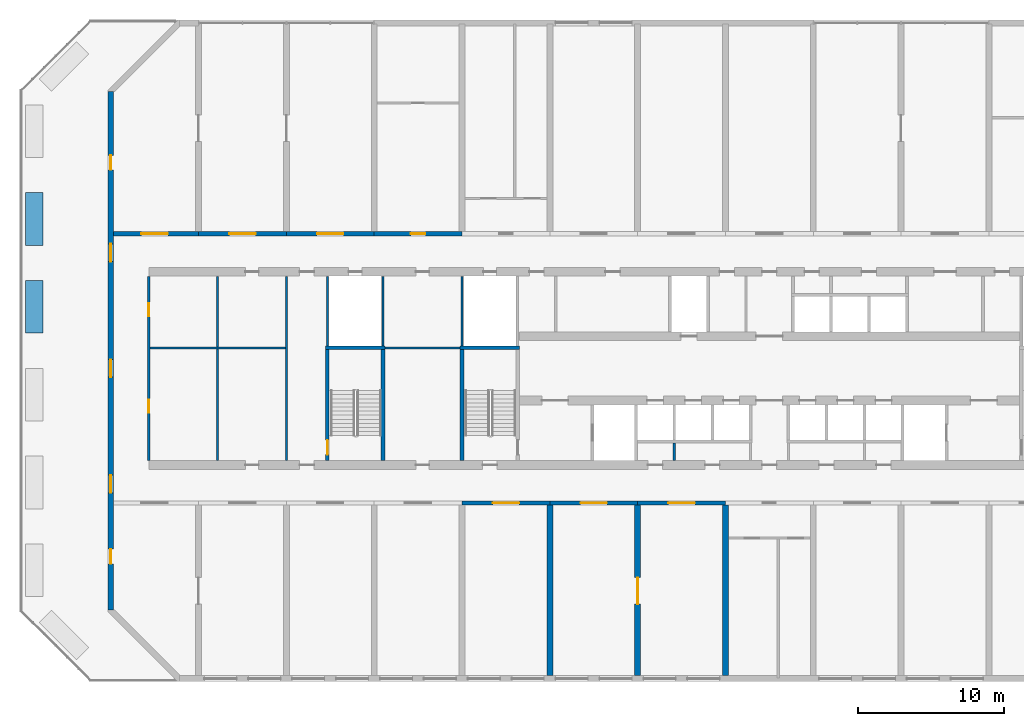
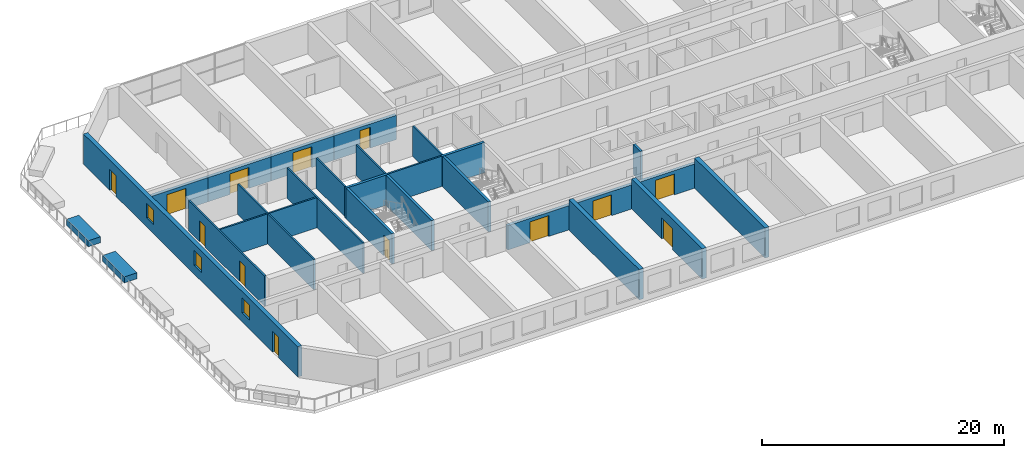
# One storey, part 7 of 21: 27 walls, 13 doors, 3 windows, 16 openings.
"""IFC4 building model written with IfcOpenShell, lengths in metres."""

from ifc_helpers import new_model, si_unit, direction, frame, frame_2d, origin, place, context, subcontext, project, spatial, polyline, rectangle, outline, extrude, source, transform, mapped, material, layer, layer_set, type_object, element, fill, save


model = new_model("IFC4")

# Units and contexts
model_context = context("Model", 3, precision=1e-05, world=origin(), true_north=direction((0.0, 1.0)))
body_context = subcontext(model_context, "Body", "Model", "MODEL_VIEW")
ifc_project = project(units=[si_unit("LENGTHUNIT", "METRE"), si_unit("AREAUNIT", "SQUARE_METRE"), si_unit("VOLUMEUNIT", "CUBIC_METRE"), si_unit("PLANEANGLEUNIT", "RADIAN"), si_unit("MASSUNIT", "GRAM", prefix="KILO")], contexts=[model_context])

# Site, building, storey
site_placement = place(None, origin())
site = spatial("IfcSite", under=ifc_project, at=site_placement, CompositionType="ELEMENT")
building_placement = place(site_placement, origin())
building = spatial("IfcBuilding", under=site, at=building_placement, Name="Poui Terraces", CompositionType="ELEMENT")
storey_placement = place(building_placement, frame((0.0, 0.0, 53.10009765625)))
storey = spatial("IfcBuildingStorey", under=building, at=storey_placement, Name="L14", CompositionType="ELEMENT", Elevation=53.10009765625)

# Wall, openings, doors
ifc_material_1 = material(Name="Fire-rated plasterboard wall")
ifc_layer_1 = layer(ifc_material_1, 0.14990234375)
ifc_layer_set_1 = layer_set([ifc_layer_1], Name="Fire-rated plasterboard wall")
wall_type_1 = type_object("IfcWallType", Name="CORRIDOR WALL 150", PredefinedType="PARTITIONING", material=ifc_layer_set_1)
wall_1_placement = place(storey_placement, frame((8.60009765625, 14.909912109375, 0.0), z_axis=(0.0, 0.0, 1.0), x_axis=(0.0, 1.0, 0.0)))
wall_1 = element("IfcWall", 1, at=wall_1_placement, inside=storey, type_object=wall_type_1, Name="CORRIDOR WALL 150", PredefinedType="PARTITIONING", context=body_context, shape_type="SweptSolid", body=[
    extrude(rectangle(XDim=12.580078125, YDim=0.14990234375, at=frame_2d((6.2900390625, 0.0))), origin(), (0.0, 0.0, 1.0), 3.0498046875),
])
opening_1_placement = place(wall_1_placement, frame((3.239990234375, 0.0, 0.0)))
opening_1 = element("IfcOpeningElement", 2, at=opening_1_placement, cuts=wall_1, Name="Opening D90", PredefinedType="OPENING", context=body_context, shape_type="SweptSolid", body=[
    extrude(rectangle(XDim=0.89990234375, YDim=2.10009765625, at=frame_2d((0.449951171875, 1.050048828125))), frame((0.0, 0.0849609375, 0.0), z_axis=(0.0, -1.0, 0.0), x_axis=(1.0, 0.0, 0.0)), (0.0, 0.0, 1.0), 0.169921875),
])
opening_2_placement = place(wall_1_placement, frame((9.840087890625, 0.0, 0.0)))
opening_2 = element("IfcOpeningElement", 3, at=opening_2_placement, cuts=wall_1, Name="Opening D90", PredefinedType="OPENING", context=body_context, shape_type="SweptSolid", body=[
    extrude(rectangle(XDim=0.89990234375, YDim=2.10009765625, at=frame_2d((0.449951171875, 1.050048828125))), frame((0.0, 0.0849609375, 0.0), z_axis=(0.0, -1.0, 0.0), x_axis=(1.0, 0.0, 0.0)), (0.0, 0.0, 1.0), 0.169921875),
])
ifc_material_2 = material(Name="Solid core timber door", Category="wood")
door_type_1 = type_object("IfcDoorType", Name="INTERNAL DOOR 900 X 2100", OperationType="NOTDEFINED", PredefinedType="DOOR", material=ifc_material_2)
door_1_placement = place(opening_1_placement, origin())
door_1 = element("IfcDoor", 4, at=door_1_placement, inside=storey, type_object=door_type_1, Name="INTERNAL DOOR 064", OperationType="SINGLE_SWING_LEFT", OverallHeight=2.10009765625, OverallWidth=0.89990234375, PredefinedType="DOOR", context=body_context, shape_type="SweptSolid", body=[
    extrude(rectangle(XDim=0.89990234375, YDim=2.10009765625, at=frame_2d((0.449951171875, 1.050048828125))), frame((0.0, 0.02490234375, 0.0), z_axis=(0.0, -1.0, 0.0), x_axis=(1.0, 0.0, 0.0)), (0.0, 0.0, 1.0), 0.050048828125),
])
fill(opening_1, door_1)
door_2_placement = place(opening_2_placement, origin())
door_2 = element("IfcDoor", 5, at=door_2_placement, inside=storey, type_object=door_type_1, Name="INTERNAL DOOR 065", OperationType="SINGLE_SWING_LEFT", OverallHeight=2.10009765625, OverallWidth=0.89990234375, PredefinedType="DOOR", context=body_context, shape_type="SweptSolid", body=[
    extrude(rectangle(XDim=0.89990234375, YDim=2.10009765625, at=frame_2d((0.449951171875, 1.050048828125))), frame((0.0, 0.02490234375, 0.0), z_axis=(0.0, -1.0, 0.0), x_axis=(1.0, 0.0, 0.0)), (0.0, 0.0, 1.0), 0.050048828125),
])
fill(opening_2, door_2)

# Wall
wall_2_placement = place(storey_placement, frame((18.0, 14.909912109375, 0.0), z_axis=(0.0, 0.0, 1.0), x_axis=(0.0, 1.0, 0.0)))
element("IfcWall", 6, at=wall_2_placement, inside=storey, type_object=wall_type_1, Name="CORRIDOR WALL 150", PredefinedType="PARTITIONING", context=body_context, shape_type="SweptSolid", body=[
    extrude(rectangle(XDim=12.580078125, YDim=0.14990234375, at=frame_2d((6.2900390625, 0.0))), origin(), (0.0, 0.0, 1.0), 3.0498046875),
])

# Wall, opening, door
ifc_material_3 = material(Name="Concrete 80 MPa", Category="concrete")
ifc_layer_2 = layer(ifc_material_3, 0.300048828125)
ifc_layer_set_2 = layer_set([ifc_layer_2], Name="Concrete 80 MPa")
wall_type_2 = type_object("IfcWallType", Name="CORRIDOR WALL 300 80MPa", PredefinedType="SHEAR", material=ifc_layer_set_2)
wall_3_placement = place(storey_placement, frame((30.0, 12.0, 0.0), z_axis=(0.0, 0.0, 1.0), x_axis=(1.0, 0.0, 0.0)))
wall_3 = element("IfcWall", 7, at=wall_3_placement, inside=storey, type_object=wall_type_2, Name="CORRIDOR WALL LINE B BAY 5", PredefinedType="SHEAR", context=body_context, shape_type="SweptSolid", body=[
    extrude(rectangle(XDim=6.0, YDim=0.300048828125, at=frame_2d((3.0, 0.0))), origin(), (0.0, 0.0, 1.0), 2.449951171875),
])
opening_3_placement = place(wall_3_placement, frame((2.10009765625, 0.0, 0.0)))
opening_3 = element("IfcOpeningElement", 8, at=opening_3_placement, cuts=wall_3, Name="Opening DD180", PredefinedType="OPENING", context=body_context, shape_type="SweptSolid", body=[
    extrude(rectangle(XDim=1.800048828125, YDim=2.10009765625, at=frame_2d((0.89990234375, 1.050048828125))), frame((0.0, 0.16015625, 0.0), z_axis=(0.0, -1.0, 0.0), x_axis=(1.0, 0.0, 0.0)), (0.0, 0.0, 1.0), 0.320068359375),
])
ifc_material_4 = material(Name="Steel fire door", Category="steel")
door_type_2 = type_object("IfcDoorType", Name="DOUBLE INTERNAL DOOR 1800 X 2100", OperationType="DOUBLE_DOOR_SINGLE_SWING", PredefinedType="DOOR", material=ifc_material_4)
door_3_placement = place(opening_3_placement, origin())
door_3 = element("IfcDoor", 9, at=door_3_placement, inside=storey, type_object=door_type_2, Name="DOUBLE INTERNAL DOOR 044", OperationType="DOUBLE_DOOR_SINGLE_SWING", OverallHeight=2.10009765625, OverallWidth=1.800048828125, PredefinedType="DOOR", context=body_context, shape_type="SweptSolid", body=[
    extrude(rectangle(XDim=1.800048828125, YDim=2.10009765625, at=frame_2d((0.89990234375, 1.050048828125))), frame((0.0, 0.02490234375, 0.0), z_axis=(0.0, -1.0, 0.0), x_axis=(1.0, 0.0, 0.0)), (0.0, 0.0, 1.0), 0.050048828125),
])
fill(opening_3, door_3)

wall_4_placement = place(storey_placement, frame((36.0, 12.0, 0.0), z_axis=(0.0, 0.0, 1.0), x_axis=(1.0, 0.0, 0.0)))
wall_4 = element("IfcWall", 10, at=wall_4_placement, inside=storey, type_object=wall_type_2, Name="CORRIDOR WALL LINE B BAY 6", PredefinedType="SHEAR", context=body_context, shape_type="SweptSolid", body=[
    extrude(rectangle(XDim=6.0, YDim=0.300048828125, at=frame_2d((3.0, 0.0))), origin(), (0.0, 0.0, 1.0), 2.449951171875),
])
opening_4_placement = place(wall_4_placement, frame((2.10009765625, 0.0, 0.0)))
opening_4 = element("IfcOpeningElement", 11, at=opening_4_placement, cuts=wall_4, Name="Opening DD180", PredefinedType="OPENING", context=body_context, shape_type="SweptSolid", body=[
    extrude(rectangle(XDim=1.800048828125, YDim=2.10009765625, at=frame_2d((0.89990234375, 1.050048828125))), frame((0.0, 0.16015625, 0.0), z_axis=(0.0, -1.0, 0.0), x_axis=(1.0, 0.0, 0.0)), (0.0, 0.0, 1.0), 0.320068359375),
])
door_4_placement = place(opening_4_placement, origin())
door_4 = element("IfcDoor", 12, at=door_4_placement, inside=storey, type_object=door_type_2, Name="DOUBLE INTERNAL DOOR 045", OperationType="DOUBLE_DOOR_SINGLE_SWING", OverallHeight=2.10009765625, OverallWidth=1.800048828125, PredefinedType="DOOR", context=body_context, shape_type="SweptSolid", body=[
    extrude(rectangle(XDim=1.800048828125, YDim=2.10009765625, at=frame_2d((0.89990234375, 1.050048828125))), frame((0.0, 0.02490234375, 0.0), z_axis=(0.0, -1.0, 0.0), x_axis=(1.0, 0.0, 0.0)), (0.0, 0.0, 1.0), 0.050048828125),
])
fill(opening_4, door_4)

wall_5_placement = place(storey_placement, frame((42.0, 12.0, 0.0), z_axis=(0.0, 0.0, 1.0), x_axis=(1.0, 0.0, 0.0)))
wall_5 = element("IfcWall", 13, at=wall_5_placement, inside=storey, type_object=wall_type_2, Name="CORRIDOR WALL LINE B BAY 7", PredefinedType="SHEAR", context=body_context, shape_type="SweptSolid", body=[
    extrude(rectangle(XDim=6.0, YDim=0.300048828125, at=frame_2d((3.0, 0.0))), origin(), (0.0, 0.0, 1.0), 2.449951171875),
])
opening_5_placement = place(wall_5_placement, frame((2.10009765625, 0.0, 0.0)))
opening_5 = element("IfcOpeningElement", 14, at=opening_5_placement, cuts=wall_5, Name="Opening DD180", PredefinedType="OPENING", context=body_context, shape_type="SweptSolid", body=[
    extrude(rectangle(XDim=1.800048828125, YDim=2.10009765625, at=frame_2d((0.89990234375, 1.050048828125))), frame((0.0, 0.16015625, 0.0), z_axis=(0.0, -1.0, 0.0), x_axis=(1.0, 0.0, 0.0)), (0.0, 0.0, 1.0), 0.320068359375),
])
door_5_placement = place(opening_5_placement, origin())
door_5 = element("IfcDoor", 15, at=door_5_placement, inside=storey, type_object=door_type_2, Name="DOUBLE INTERNAL DOOR 047", OperationType="DOUBLE_DOOR_SINGLE_SWING", OverallHeight=2.10009765625, OverallWidth=1.800048828125, PredefinedType="DOOR", context=body_context, shape_type="SweptSolid", body=[
    extrude(rectangle(XDim=1.800048828125, YDim=2.10009765625, at=frame_2d((0.89990234375, 1.050048828125))), frame((0.0, 0.02490234375, 0.0), z_axis=(0.0, -1.0, 0.0), x_axis=(1.0, 0.0, 0.0)), (0.0, 0.0, 1.0), 0.050048828125),
])
fill(opening_5, door_5)

wall_6_placement = place(storey_placement, frame((6.199951171875, 30.39990234375, 0.0), z_axis=(0.0, 0.0, 1.0), x_axis=(1.0, 0.0, 0.0)))
wall_6 = element("IfcWall", 16, at=wall_6_placement, inside=storey, type_object=wall_type_2, Name="CORRIDOR WALL LINE E BAY 1", PredefinedType="SHEAR", context=body_context, shape_type="SweptSolid", body=[
    extrude(rectangle(XDim=5.800048828125, YDim=0.300048828125, at=frame_2d((2.89990234375, 0.0))), origin(), (0.0, 0.0, 1.0), 2.449951171875),
])
opening_6_placement = place(wall_6_placement, frame((1.89990234375, 0.0, 0.0)))
opening_6 = element("IfcOpeningElement", 17, at=opening_6_placement, cuts=wall_6, Name="Opening DD180", PredefinedType="OPENING", context=body_context, shape_type="SweptSolid", body=[
    extrude(rectangle(XDim=1.800048828125, YDim=2.10009765625, at=frame_2d((0.89990234375, 1.050048828125))), frame((0.0, 0.16015625, 0.0), z_axis=(0.0, -1.0, 0.0), x_axis=(1.0, 0.0, 0.0)), (0.0, 0.0, 1.0), 0.320068359375),
])
door_6_placement = place(opening_6_placement, frame((1.800048828125, 0.0, 0.0), z_axis=(0.0, 0.0, 1.0), x_axis=(-1.0, 0.0, 0.0)))
door_6 = element("IfcDoor", 18, at=door_6_placement, inside=storey, type_object=door_type_2, Name="DOUBLE INTERNAL DOOR 003", OperationType="DOUBLE_DOOR_SINGLE_SWING", OverallHeight=2.10009765625, OverallWidth=1.800048828125, PredefinedType="DOOR", context=body_context, shape_type="SweptSolid", body=[
    extrude(rectangle(XDim=1.800048828125, YDim=2.10009765625, at=frame_2d((0.89990234375, 1.050048828125))), frame((0.0, 0.02490234375, 0.0), z_axis=(0.0, -1.0, 0.0), x_axis=(1.0, 0.0, 0.0)), (0.0, 0.0, 1.0), 0.050048828125),
])
fill(opening_6, door_6)

wall_7_placement = place(storey_placement, frame((12.0, 30.39990234375, 0.0), z_axis=(0.0, 0.0, 1.0), x_axis=(1.0, 0.0, 0.0)))
wall_7 = element("IfcWall", 19, at=wall_7_placement, inside=storey, type_object=wall_type_2, Name="CORRIDOR WALL LINE E BAY 2", PredefinedType="SHEAR", context=body_context, shape_type="SweptSolid", body=[
    extrude(rectangle(XDim=6.0, YDim=0.300048828125, at=frame_2d((3.0, 0.0))), origin(), (0.0, 0.0, 1.0), 2.449951171875),
])
opening_7_placement = place(wall_7_placement, frame((2.10009765625, 0.0, 0.0)))
opening_7 = element("IfcOpeningElement", 20, at=opening_7_placement, cuts=wall_7, Name="Opening DD180", PredefinedType="OPENING", context=body_context, shape_type="SweptSolid", body=[
    extrude(rectangle(XDim=1.800048828125, YDim=2.10009765625, at=frame_2d((0.89990234375, 1.050048828125))), frame((0.0, 0.16015625, 0.0), z_axis=(0.0, -1.0, 0.0), x_axis=(1.0, 0.0, 0.0)), (0.0, 0.0, 1.0), 0.320068359375),
])
door_7_placement = place(opening_7_placement, frame((1.800048828125, 0.0, 0.0), z_axis=(0.0, 0.0, 1.0), x_axis=(-1.0, 0.0, 0.0)))
door_7 = element("IfcDoor", 21, at=door_7_placement, inside=storey, type_object=door_type_2, Name="DOUBLE INTERNAL DOOR 004", OperationType="DOUBLE_DOOR_SINGLE_SWING", OverallHeight=2.10009765625, OverallWidth=1.800048828125, PredefinedType="DOOR", context=body_context, shape_type="SweptSolid", body=[
    extrude(rectangle(XDim=1.800048828125, YDim=2.10009765625, at=frame_2d((0.89990234375, 1.050048828125))), frame((0.0, 0.02490234375, 0.0), z_axis=(0.0, -1.0, 0.0), x_axis=(1.0, 0.0, 0.0)), (0.0, 0.0, 1.0), 0.050048828125),
])
fill(opening_7, door_7)

wall_8_placement = place(storey_placement, frame((18.0, 30.39990234375, 0.0), z_axis=(0.0, 0.0, 1.0), x_axis=(1.0, 0.0, 0.0)))
wall_8 = element("IfcWall", 22, at=wall_8_placement, inside=storey, type_object=wall_type_2, Name="CORRIDOR WALL LINE E BAY 3", PredefinedType="SHEAR", context=body_context, shape_type="SweptSolid", body=[
    extrude(rectangle(XDim=6.0, YDim=0.300048828125, at=frame_2d((3.0, 0.0))), origin(), (0.0, 0.0, 1.0), 2.449951171875),
])
opening_8_placement = place(wall_8_placement, frame((2.10009765625, 0.0, 0.0)))
opening_8 = element("IfcOpeningElement", 23, at=opening_8_placement, cuts=wall_8, Name="Opening DD180", PredefinedType="OPENING", context=body_context, shape_type="SweptSolid", body=[
    extrude(rectangle(XDim=1.800048828125, YDim=2.10009765625, at=frame_2d((0.89990234375, 1.050048828125))), frame((0.0, 0.16015625, 0.0), z_axis=(0.0, -1.0, 0.0), x_axis=(1.0, 0.0, 0.0)), (0.0, 0.0, 1.0), 0.320068359375),
])
door_8_placement = place(opening_8_placement, frame((1.800048828125, 0.0, 0.0), z_axis=(0.0, 0.0, 1.0), x_axis=(-1.0, 0.0, 0.0)))
door_8 = element("IfcDoor", 24, at=door_8_placement, inside=storey, type_object=door_type_2, Name="DOUBLE INTERNAL DOOR 007", OperationType="DOUBLE_DOOR_SINGLE_SWING", OverallHeight=2.10009765625, OverallWidth=1.800048828125, PredefinedType="DOOR", context=body_context, shape_type="SweptSolid", body=[
    extrude(rectangle(XDim=1.800048828125, YDim=2.10009765625, at=frame_2d((0.89990234375, 1.050048828125))), frame((0.0, 0.02490234375, 0.0), z_axis=(0.0, -1.0, 0.0), x_axis=(1.0, 0.0, 0.0)), (0.0, 0.0, 1.0), 0.050048828125),
])
fill(opening_8, door_8)

wall_9_placement = place(storey_placement, frame((24.0, 30.39990234375, 0.0), z_axis=(0.0, 0.0, 1.0), x_axis=(1.0, 0.0, 0.0)))
wall_9 = element("IfcWall", 25, at=wall_9_placement, inside=storey, type_object=wall_type_2, Name="CORRIDOR WALL LINE E BAY 4", PredefinedType="SHEAR", context=body_context, shape_type="SweptSolid", body=[
    extrude(rectangle(XDim=6.0, YDim=0.300048828125, at=frame_2d((3.0, 0.0))), origin(), (0.0, 0.0, 1.0), 2.449951171875),
])
opening_9_placement = place(wall_9_placement, frame((2.5, 0.0, 0.0)))
opening_9 = element("IfcOpeningElement", 26, at=opening_9_placement, cuts=wall_9, Name="Opening D100", PredefinedType="OPENING", context=body_context, shape_type="SweptSolid", body=[
    extrude(rectangle(XDim=1.0, YDim=2.10009765625, at=frame_2d((0.5, 1.050048828125))), frame((0.0, 0.16015625, 0.0), z_axis=(0.0, -1.0, 0.0), x_axis=(1.0, 0.0, 0.0)), (0.0, 0.0, 1.0), 0.320068359375),
])
door_type_3 = type_object("IfcDoorType", Name="ACCESSIBLE INTERNAL DOOR 1000 X 2100", OperationType="NOTDEFINED", PredefinedType="DOOR", material=ifc_material_2)
door_9_placement = place(opening_9_placement, frame((1.0, 0.0, 0.0), z_axis=(0.0, 0.0, 1.0), x_axis=(-1.0, 0.0, 0.0)))
door_9 = element("IfcDoor", 27, at=door_9_placement, inside=storey, type_object=door_type_3, Name="ACCESSIBLE INTERNAL DOOR 009", OperationType="SINGLE_SWING_LEFT", OverallHeight=2.10009765625, OverallWidth=1.0, PredefinedType="DOOR", context=body_context, shape_type="SweptSolid", body=[
    extrude(rectangle(XDim=1.0, YDim=2.10009765625, at=frame_2d((0.5, 1.050048828125))), frame((0.0, 0.02490234375, 0.0), z_axis=(0.0, -1.0, 0.0), x_axis=(1.0, 0.0, 0.0)), (0.0, 0.0, 1.0), 0.050048828125),
])
fill(opening_9, door_9)

# Wall
ifc_layer_3 = layer(ifc_material_3, 0.39990234375)
ifc_layer_set_3 = layer_set([ifc_layer_3], Name="Concrete 80 MPa")
wall_type_3 = type_object("IfcWallType", Name="CROSS WALL 400 80MPa", PredefinedType="SHEAR", material=ifc_layer_set_3)
wall_10_placement = place(storey_placement, frame((36.0, 0.199951171875, 0.0), z_axis=(0.0, 0.0, 1.0), x_axis=(0.0, 1.0, 0.0)))
element("IfcWall", 28, at=wall_10_placement, inside=storey, type_object=wall_type_3, Name="CROSS WALL LINE 7 SOUTH", PredefinedType="SHEAR", context=body_context, shape_type="SweptSolid", body=[
    extrude(rectangle(XDim=11.650146484375, YDim=0.39990234375, at=frame_2d((5.8251953125, 0.0))), origin(), (0.0, 0.0, 1.0), 3.0498046875),
])

# Wall, opening, door
wall_11_placement = place(storey_placement, frame((42.0, 0.199951171875, 0.0), z_axis=(0.0, 0.0, 1.0), x_axis=(0.0, 1.0, 0.0)))
wall_11 = element("IfcWall", 29, at=wall_11_placement, inside=storey, type_object=wall_type_3, Name="CROSS WALL LINE 8 SOUTH", PredefinedType="SHEAR", context=body_context, shape_type="SweptSolid", body=[
    extrude(rectangle(XDim=11.650146484375, YDim=0.39990234375, at=frame_2d((5.8251953125, 0.0))), origin(), (0.0, 0.0, 1.0), 3.0498046875),
])
opening_10_placement = place(wall_11_placement, frame((4.89990234375, 0.0, 0.0)))
opening_10 = element("IfcOpeningElement", 30, at=opening_10_placement, cuts=wall_11, Name="Opening DD180", PredefinedType="OPENING", context=body_context, shape_type="SweptSolid", body=[
    extrude(rectangle(XDim=1.800048828125, YDim=2.10009765625, at=frame_2d((0.89990234375, 1.050048828125))), frame((0.0, 0.2099609375, 0.0), z_axis=(0.0, -1.0, 0.0), x_axis=(1.0, 0.0, 0.0)), (0.0, 0.0, 1.0), 0.419921875),
])
door_10_placement = place(opening_10_placement, origin())
door_10 = element("IfcDoor", 31, at=door_10_placement, inside=storey, type_object=door_type_2, Name="DOUBLE INTERNAL DOOR 077", OperationType="DOUBLE_DOOR_SINGLE_SWING", OverallHeight=2.10009765625, OverallWidth=1.800048828125, PredefinedType="DOOR", context=body_context, shape_type="SweptSolid", body=[
    extrude(rectangle(XDim=1.800048828125, YDim=2.10009765625, at=frame_2d((0.89990234375, 1.050048828125))), frame((0.0, 0.02490234375, 0.0), z_axis=(0.0, -1.0, 0.0), x_axis=(1.0, 0.0, 0.0)), (0.0, 0.0, 1.0), 0.050048828125),
])
fill(opening_10, door_10)

# Wall
wall_12_placement = place(storey_placement, frame((48.0, 0.199951171875, 0.0), z_axis=(0.0, 0.0, 1.0), x_axis=(0.0, 1.0, 0.0)))
element("IfcWall", 32, at=wall_12_placement, inside=storey, type_object=wall_type_3, Name="CROSS WALL LINE 9 SOUTH", PredefinedType="SHEAR", context=body_context, shape_type="SweptSolid", body=[
    extrude(rectangle(XDim=11.650146484375, YDim=0.39990234375, at=frame_2d((5.8251953125, 0.0))), origin(), (0.0, 0.0, 1.0), 3.0498046875),
])

# Wall, openings, doors, windows
ifc_layer_4 = layer(ifc_material_3, 0.39990234375)
ifc_layer_set_4 = layer_set([ifc_layer_4], Name="Concrete 80 MPa")
wall_type_4 = type_object("IfcWallType", Name="END WALL 400 80MPa", PredefinedType="SHEAR", material=ifc_layer_set_4)
wall_13_placement = place(storey_placement, frame((6.0, 4.682861328125, 0.0), z_axis=(0.0, 0.0, 1.0), x_axis=(0.0, 1.0, 0.0)))
wall_13 = element("IfcWall", 33, at=wall_13_placement, inside=storey, type_object=wall_type_4, Name="END WALL WEST", PredefinedType="SHEAR", context=body_context, shape_type="SweptSolid", body=[
    extrude(rectangle(XDim=35.434326171875, YDim=0.39990234375, at=frame_2d((17.71728515625, 0.0))), origin(), (0.0, 0.0, 1.0), 3.0498046875),
])
opening_11_placement = place(wall_13_placement, frame((23.817138671875, 0.0, 0.89990234375)))
opening_11 = element("IfcOpeningElement", 34, at=opening_11_placement, cuts=wall_13, Name="Opening W2", PredefinedType="OPENING", context=body_context, shape_type="SweptSolid", body=[
    extrude(rectangle(XDim=1.199951171875, YDim=1.5, at=frame_2d((0.60009765625, 0.75))), frame((0.0, 0.2099609375, 0.0), z_axis=(0.0, -1.0, 0.0), x_axis=(1.0, 0.0, 0.0)), (0.0, 0.0, 1.0), 0.419921875),
])
opening_12_placement = place(wall_13_placement, frame((8.01708984375, 0.0, 0.89990234375)))
opening_12 = element("IfcOpeningElement", 35, at=opening_12_placement, cuts=wall_13, Name="Opening W2", PredefinedType="OPENING", context=body_context, shape_type="SweptSolid", body=[
    extrude(rectangle(XDim=1.199951171875, YDim=1.5, at=frame_2d((0.60009765625, 0.75))), frame((0.0, 0.2099609375, 0.0), z_axis=(0.0, -1.0, 0.0), x_axis=(1.0, 0.0, 0.0)), (0.0, 0.0, 1.0), 0.419921875),
])
opening_13_placement = place(wall_13_placement, frame((15.917236328125, 0.0, 0.89990234375)))
opening_13 = element("IfcOpeningElement", 36, at=opening_13_placement, cuts=wall_13, Name="Opening W2", PredefinedType="OPENING", context=body_context, shape_type="SweptSolid", body=[
    extrude(rectangle(XDim=1.199951171875, YDim=1.5, at=frame_2d((0.60009765625, 0.75))), frame((0.0, 0.2099609375, 0.0), z_axis=(0.0, -1.0, 0.0), x_axis=(1.0, 0.0, 0.0)), (0.0, 0.0, 1.0), 0.419921875),
])
opening_14_placement = place(wall_13_placement, frame((30.07568359375, 0.0, 0.0)))
opening_14 = element("IfcOpeningElement", 37, at=opening_14_placement, cuts=wall_13, Name="Opening XD100", PredefinedType="OPENING", context=body_context, shape_type="SweptSolid", body=[
    extrude(rectangle(XDim=1.0, YDim=2.10009765625, at=frame_2d((0.5, 1.050048828125))), frame((0.0, 0.2099609375, 0.0), z_axis=(0.0, -1.0, 0.0), x_axis=(1.0, 0.0, 0.0)), (0.0, 0.0, 1.0), 0.419921875),
])
opening_15_placement = place(wall_13_placement, frame((3.15869140625, 0.0, 0.0)))
opening_15 = element("IfcOpeningElement", 38, at=opening_15_placement, cuts=wall_13, Name="Opening XD100", PredefinedType="OPENING", context=body_context, shape_type="SweptSolid", body=[
    extrude(rectangle(XDim=1.0, YDim=2.10009765625, at=frame_2d((0.5, 1.050048828125))), frame((0.0, 0.2099609375, 0.0), z_axis=(0.0, -1.0, 0.0), x_axis=(1.0, 0.0, 0.0)), (0.0, 0.0, 1.0), 0.419921875),
])
ifc_material_5 = material(Name="Aluminium glazed door", Category="aluminium")
door_type_4 = type_object("IfcDoorType", Name="EXTERNAL DOOR 1000 X 2100", OperationType="NOTDEFINED", PredefinedType="DOOR", material=ifc_material_5)
door_11_placement = place(opening_14_placement, origin())
door_11 = element("IfcDoor", 39, at=door_11_placement, inside=storey, type_object=door_type_4, Name="EXTERNAL DOOR 066", OperationType="SINGLE_SWING_RIGHT", OverallHeight=2.10009765625, OverallWidth=1.0, PredefinedType="DOOR", context=body_context, shape_type="SweptSolid", body=[
    extrude(rectangle(XDim=1.0, YDim=2.10009765625, at=frame_2d((0.5, 1.050048828125))), frame((0.0, 0.02490234375, 0.0), z_axis=(0.0, -1.0, 0.0), x_axis=(1.0, 0.0, 0.0)), (0.0, 0.0, 1.0), 0.050048828125),
])
fill(opening_14, door_11)
door_12_placement = place(opening_15_placement, origin())
door_12 = element("IfcDoor", 40, at=door_12_placement, inside=storey, type_object=door_type_4, Name="EXTERNAL DOOR 075", OperationType="SINGLE_SWING_RIGHT", OverallHeight=2.10009765625, OverallWidth=1.0, PredefinedType="DOOR", context=body_context, shape_type="SweptSolid", body=[
    extrude(rectangle(XDim=1.0, YDim=2.10009765625, at=frame_2d((0.5, 1.050048828125))), frame((0.0, 0.02490234375, 0.0), z_axis=(0.0, -1.0, 0.0), x_axis=(1.0, 0.0, 0.0)), (0.0, 0.0, 1.0), 0.050048828125),
])
fill(opening_15, door_12)
ifc_material_6 = material(Name="Clear glass in aluminium frame", Category="aluminium")
window_type = type_object("IfcWindowType", Name="WINDOW 1200X1500", PartitioningType="SINGLE_PANEL", PredefinedType="WINDOW", material=ifc_material_6)
window_1_placement = place(opening_11_placement, origin())
window_1 = element("IfcWindow", 41, at=window_1_placement, inside=storey, type_object=window_type, Name="W2 WINDOW", OverallHeight=1.5, OverallWidth=1.199951171875, PartitioningType="SINGLE_PANEL", PredefinedType="WINDOW", context=body_context, shape_type="SweptSolid", body=[
    extrude(rectangle(XDim=1.199951171875, YDim=1.5, at=frame_2d((0.60009765625, 0.75))), frame((0.0, 0.030029296875, 0.0), z_axis=(0.0, -1.0, 0.0), x_axis=(1.0, 0.0, 0.0)), (0.0, 0.0, 1.0), 0.06005859375),
])
fill(opening_11, window_1)
window_2_placement = place(opening_12_placement, origin())
window_2 = element("IfcWindow", 42, at=window_2_placement, inside=storey, type_object=window_type, Name="W2 WINDOW", OverallHeight=1.5, OverallWidth=1.199951171875, PartitioningType="SINGLE_PANEL", PredefinedType="WINDOW", context=body_context, shape_type="SweptSolid", body=[
    extrude(rectangle(XDim=1.199951171875, YDim=1.5, at=frame_2d((0.60009765625, 0.75))), frame((0.0, 0.030029296875, 0.0), z_axis=(0.0, -1.0, 0.0), x_axis=(1.0, 0.0, 0.0)), (0.0, 0.0, 1.0), 0.06005859375),
])
fill(opening_12, window_2)
window_3_placement = place(opening_13_placement, origin())
window_3 = element("IfcWindow", 43, at=window_3_placement, inside=storey, type_object=window_type, Name="W2 WINDOW", OverallHeight=1.5, OverallWidth=1.199951171875, PartitioningType="SINGLE_PANEL", PredefinedType="WINDOW", context=body_context, shape_type="SweptSolid", body=[
    extrude(rectangle(XDim=1.199951171875, YDim=1.5, at=frame_2d((0.60009765625, 0.75))), frame((0.0, 0.030029296875, 0.0), z_axis=(0.0, -1.0, 0.0), x_axis=(1.0, 0.0, 0.0)), (0.0, 0.0, 1.0), 0.06005859375),
])
fill(opening_13, window_3)

# Walls
ifc_material_7 = material(Name="Plasterboard partition")
ifc_layer_5 = layer(ifc_material_7, 0.14990234375)
ifc_layer_set_5 = layer_set([ifc_layer_5], Name="Plasterboard partition")
wall_type_5 = type_object("IfcWallType", Name="PARTITION WALL 150", PredefinedType="PARTITIONING", material=ifc_layer_set_5)
wall_14_placement = place(storey_placement, frame((8.675048828125, 22.60009765625, 0.0), z_axis=(0.0, 0.0, 1.0), x_axis=(1.0, 0.0, 0.0)))
element("IfcWall", 44, at=wall_14_placement, inside=storey, type_object=wall_type_5, Name="PARTITION WALL 150", PredefinedType="PARTITIONING", context=body_context, shape_type="SweptSolid", body=[
    extrude(rectangle(XDim=9.25, YDim=0.14990234375, at=frame_2d((4.625, 0.0))), origin(), (0.0, 0.0, 1.0), 3.0498046875),
])
wall_15_placement = place(storey_placement, frame((24.735107421875, 22.60009765625, 0.0), z_axis=(0.0, 0.0, 1.0), x_axis=(1.0, 0.0, 0.0)))
element("IfcWall", 45, at=wall_15_placement, inside=storey, type_object=wall_type_5, Name="PARTITION WALL 150", PredefinedType="PARTITIONING", context=body_context, shape_type="SweptSolid", body=[
    extrude(rectangle(XDim=5.1298828125, YDim=0.14990234375, at=frame_2d((2.56494140625, 0.0))), origin(), (0.0, 0.0, 1.0), 3.0498046875),
])
wall_16_placement = place(storey_placement, frame((13.300048828125, 14.909912109375, 0.0), z_axis=(0.0, 0.0, 1.0), x_axis=(0.0, 1.0, 0.0)))
element("IfcWall", 46, at=wall_16_placement, inside=storey, type_object=wall_type_5, Name="PARTITION WALL 150", PredefinedType="PARTITIONING", context=body_context, shape_type="SweptSolid", body=[
    extrude(rectangle(XDim=12.580078125, YDim=0.14990234375, at=frame_2d((6.2900390625, 0.0))), origin(), (0.0, 0.0, 1.0), 3.0498046875),
])
ifc_material_8 = material(Name="Fire-rated masonry wall", Category="masonry")
ifc_layer_6 = layer(ifc_material_8, 0.199951171875)
ifc_layer_set_6 = layer_set([ifc_layer_6], Name="Fire-rated masonry wall")
wall_type_6 = type_object("IfcWallType", Name="PLANT ROOM WALL 200", PredefinedType="PARTITIONING", material=ifc_layer_set_6)
wall_17_placement = place(storey_placement, frame((44.5, 14.909912109375, 0.0), z_axis=(0.0, 0.0, 1.0), x_axis=(0.0, 1.0, 0.0)))
element("IfcWall", 47, at=wall_17_placement, inside=storey, type_object=wall_type_6, Name="PLANT ROOM WALL 200", PredefinedType="PARTITIONING", context=body_context, shape_type="SweptSolid", body=[
    extrude(rectangle(XDim=1.190185546875, YDim=0.199951171875, at=frame_2d((0.59521484375, 0.0))), origin(), (0.0, 0.0, 1.0), 3.0498046875),
])
ifc_material_9 = material(Name="Fire-rated plasterboard riser wall")
ifc_layer_7 = layer(ifc_material_9, 0.14990234375)
ifc_layer_set_7 = layer_set([ifc_layer_7], Name="Fire-rated plasterboard riser wall")
wall_type_7 = type_object("IfcWallType", Name="RISER WALL 150", PredefinedType="PARTITIONING", material=ifc_layer_set_7)
for number, where, z_axis, x_axis, name in (
    (48, (20.800048828125, 22.735107421875, 0.0), (0.0, 0.0, 1.0), (0.0, 1.0, 0.0), "RISER WALL 150"),
    (49, (24.60009765625, 22.735107421875, 0.0), (0.0, 0.0, 1.0), (0.0, 1.0, 0.0), "RISER WALL 150"),
    (50, (30.0, 22.735107421875, 0.0), (0.0, 0.0, 1.0), (0.0, 1.0, 0.0), "RISER WALL 150"),
):
    element("IfcWall", number, at=place(storey_placement, frame(where, z_axis=z_axis, x_axis=x_axis)), inside=storey, type_object=wall_type_7, Name=name, PredefinedType="PARTITIONING", context=body_context, shape_type="SweptSolid", body=[
        extrude(rectangle(XDim=4.7548828125, YDim=0.14990234375, at=frame_2d((2.37744140625, 0.0))), origin(), (0.0, 0.0, 1.0), 3.0498046875),
    ])
ifc_layer_8 = layer(ifc_material_3, 0.25)
ifc_layer_set_8 = layer_set([ifc_layer_8], Name="Concrete 80 MPa")
wall_type_8 = type_object("IfcWallType", Name="STAIR CORE WALL 250 80 MPA", PredefinedType="SOLIDWALL", material=ifc_layer_set_8)
wall_18_placement = place(storey_placement, frame((30.0, 14.89990234375, 0.0), z_axis=(0.0, 0.0, 1.0), x_axis=(0.0, 1.0, 0.0)))
element("IfcWall", 51, at=wall_18_placement, inside=storey, type_object=wall_type_8, Name="STAIR CORE WALL", PredefinedType="SOLIDWALL", context=body_context, shape_type="SweptSolid", body=[
    extrude(rectangle(XDim=7.5751953125, YDim=0.25, at=frame_2d((3.78759765625, 0.0))), origin(), (0.0, 0.0, 1.0), 3.0498046875),
])
wall_19_placement = place(storey_placement, frame((29.875, 22.60009765625, 0.0), z_axis=(0.0, 0.0, 1.0), x_axis=(1.0, 0.0, 0.0)))
element("IfcWall", 52, at=wall_19_placement, inside=storey, type_object=wall_type_8, Name="STAIR CORE WALL", PredefinedType="SOLIDWALL", context=body_context, shape_type="SweptSolid", body=[
    extrude(rectangle(XDim=4.050048828125, YDim=0.25, at=frame_2d((2.02490234375, 0.0))), origin(), (0.0, 0.0, 1.0), 3.0498046875),
])

# Wall, opening, door
wall_20_placement = place(storey_placement, frame((20.800048828125, 14.89990234375, 0.0), z_axis=(0.0, 0.0, 1.0), x_axis=(0.0, 1.0, 0.0)))
wall_20 = element("IfcWall", 53, at=wall_20_placement, inside=storey, type_object=wall_type_8, Name="STAIR CORE WALL", PredefinedType="SOLIDWALL", context=body_context, shape_type="SweptSolid", body=[
    extrude(rectangle(XDim=7.5751953125, YDim=0.25, at=frame_2d((3.78759765625, 0.0))), origin(), (0.0, 0.0, 1.0), 3.0498046875),
])
opening_16_placement = place(wall_20_placement, frame((0.39990234375, 0.0, 0.0)))
opening_16 = element("IfcOpeningElement", 54, at=opening_16_placement, cuts=wall_20, Name="Opening FD60S", PredefinedType="OPENING", context=body_context, shape_type="SweptSolid", body=[
    extrude(rectangle(XDim=1.0, YDim=2.10009765625, at=frame_2d((0.5, 1.050048828125))), frame((0.0, 0.135009765625, 0.0), z_axis=(0.0, -1.0, 0.0), x_axis=(1.0, 0.0, 0.0)), (0.0, 0.0, 1.0), 0.27001953125),
])
door_type_5 = type_object("IfcDoorType", Name="STAIR DOOR 1000 X 2100", OperationType="NOTDEFINED", PredefinedType="DOOR", material=ifc_material_4)
door_13_placement = place(opening_16_placement, frame((1.0, 0.0, 0.0), z_axis=(0.0, 0.0, 1.0), x_axis=(-1.0, 0.0, 0.0)))
door_13 = element("IfcDoor", 55, at=door_13_placement, inside=storey, type_object=door_type_5, Name="STAIR DOOR 097", OperationType="SINGLE_SWING_RIGHT", OverallHeight=2.10009765625, OverallWidth=1.0, PredefinedType="DOOR", context=body_context, shape_type="SweptSolid", body=[
    extrude(rectangle(XDim=1.0, YDim=2.10009765625, at=frame_2d((0.5, 1.050048828125))), frame((0.0, 0.02490234375, 0.0), z_axis=(0.0, -1.0, 0.0), x_axis=(1.0, 0.0, 0.0)), (0.0, 0.0, 1.0), 0.050048828125),
])
fill(opening_16, door_13)

# Walls
wall_21_placement = place(storey_placement, frame((24.60009765625, 14.89990234375, 0.0), z_axis=(0.0, 0.0, 1.0), x_axis=(0.0, 1.0, 0.0)))
element("IfcWall", 56, at=wall_21_placement, inside=storey, type_object=wall_type_8, Name="STAIR CORE WALL", PredefinedType="SOLIDWALL", context=body_context, shape_type="SweptSolid", body=[
    extrude(rectangle(XDim=7.5751953125, YDim=0.25, at=frame_2d((3.78759765625, 0.0))), origin(), (0.0, 0.0, 1.0), 3.0498046875),
])
wall_22_placement = place(storey_placement, frame((20.675048828125, 22.60009765625, 0.0), z_axis=(0.0, 0.0, 1.0), x_axis=(1.0, 0.0, 0.0)))
element("IfcWall", 57, at=wall_22_placement, inside=storey, type_object=wall_type_8, Name="STAIR CORE WALL", PredefinedType="SOLIDWALL", context=body_context, shape_type="SweptSolid", body=[
    extrude(rectangle(XDim=4.050048828125, YDim=0.25, at=frame_2d((2.02490234375, 0.0))), origin(), (0.0, 0.0, 1.0), 3.0498046875),
])
ifc_material_10 = material(Name="Precast concrete 40 MPa", Category="concrete")
ifc_layer_9 = layer(ifc_material_10, 1.199951171875)
ifc_layer_set_9 = layer_set([ifc_layer_9], Name="Precast concrete 40 MPa")
wall_type_9 = type_object("IfcWallType", Name="PLANTER 600", PredefinedType="USERDEFINED", material=ifc_layer_set_9)
shared_shape = source(origin(), body_context, "Body", "SweptSolid", [
    extrude(outline(polyline([(0.0, 0.0), (1.199951171875, 0.0), (1.199951171875, 3.599853515625), (0.0, 3.599853515625), (0.0, 0.0)])), origin(), (0.0, 0.0, 1.0), 0.599853515625),
])
for number, where, name in (
    (58, (0.179931640625, 23.60009765625, 0.0), "PLANTER"),
    (59, (0.179931640625, 29.60009765625, 0.0), "PLANTER"),
):
    element("IfcWall", number, at=place(storey_placement, frame(where)), inside=storey, type_object=wall_type_9, Name=name, ObjectType="PLANTER", PredefinedType="USERDEFINED", context=body_context, shape_type="MappedRepresentation", body=[
        mapped(shared_shape, transform((0.0, 0.0, 0.0))),
    ])

save(model, "model.ifc")
